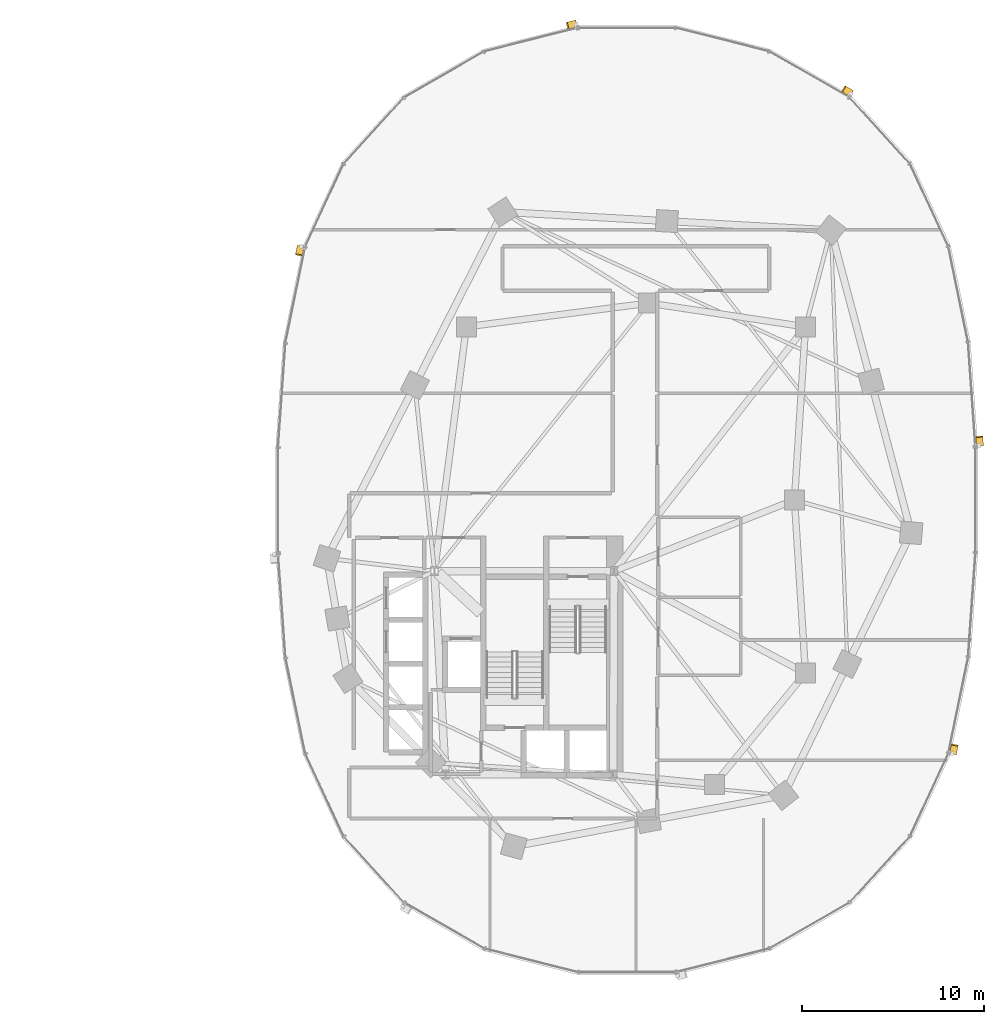
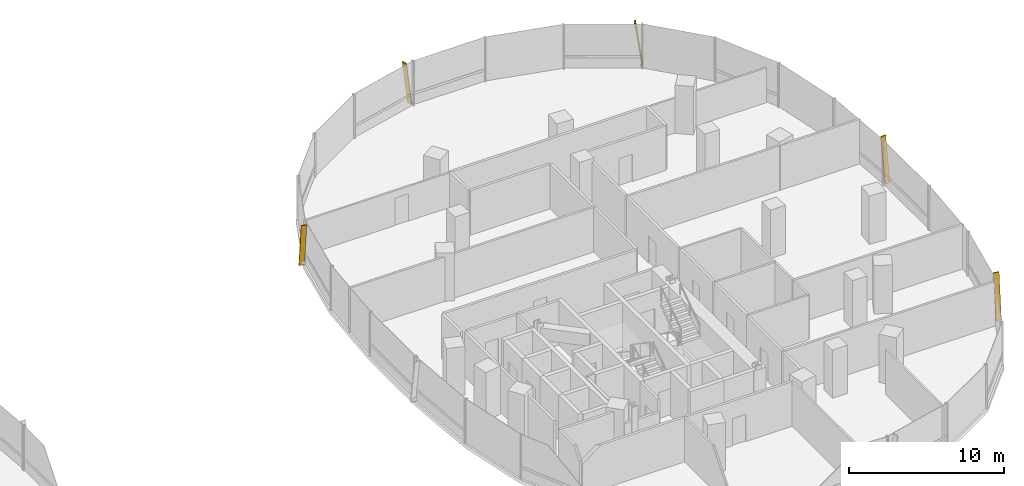
# One storey, part 21 of 21: 5 shading devices.
"""IFC4 building model written with IfcOpenShell, lengths in metres."""

from ifc_helpers import new_model, si_unit, direction, frame, origin, origin_2d, place, context, subcontext, project, spatial, rectangle, extrude, material, material_profile, profile_set, type_object, element, save


model = new_model("IFC4")

# Units and contexts
model_context = context("Model", 3, precision=1e-05, world=origin(), true_north=direction((0.0, 1.0)))
body_context = subcontext(model_context, "Body", "Model", "MODEL_VIEW")
ifc_project = project(units=[si_unit("LENGTHUNIT", "METRE"), si_unit("AREAUNIT", "SQUARE_METRE"), si_unit("VOLUMEUNIT", "CUBIC_METRE"), si_unit("PLANEANGLEUNIT", "RADIAN"), si_unit("MASSUNIT", "GRAM", prefix="KILO"), si_unit("THERMODYNAMICTEMPERATUREUNIT", "KELVIN"), si_unit("POWERUNIT", "WATT")], contexts=[model_context])

# Site, building, storey
site_placement = place(None, origin())
site = spatial("IfcSite", under=ifc_project, at=site_placement, CompositionType="ELEMENT")
building_placement = place(site_placement, origin())
building = spatial("IfcBuilding", under=site, at=building_placement, Name="Cundina Bronze Exchange", CompositionType="ELEMENT")
storey_placement = place(building_placement, frame((0.0, 0.0, 65.800048828125)))
storey = spatial("IfcBuildingStorey", under=building, at=storey_placement, Name="L16", CompositionType="ELEMENT", Elevation=65.800048828125)

# Shading devices
ifc_material = material(Name="Anodised Bronze Aluminium 6063-T6", Category="aluminium")
ifc_material_profile = material_profile(ifc_material, rectangle(XDim=0.070068359375, YDim=0.3798828125, at=origin_2d()), Name="FIN70X380", Category="aluminium")
ifc_profile_set = profile_set([ifc_material_profile], Name="Anodised Bronze Aluminium 6063-T6")
shading_device_type = type_object("IfcShadingDeviceType", Name="SHD-FIN-BRZ380", PredefinedType="USERDEFINED", material=ifc_profile_set)
for number, where, z_axis, x_axis, name in (
    (1, (51.3740234375, 2.993896484375, 0.02001953125), (-0.009645159174, 0.137059109714, 0.990515911709), (0.06953288269, -0.988072340253, 0.137398066402), "L16 Diagonal Bronze Solar Fin 1"),
    (2, (44.314208984375, 22.314208984375, 0.02001953125), (-0.119166378275, 0.06842456559, 0.990513731915), (0.85898178632, -0.493221799887, 0.137413779831), "L16 Diagonal Bronze Solar Fin 5"),
    (3, (29.212646484375, 26.138427734375, 0.02001953125), (-0.133214830938, -0.033688115694, 0.990514472221), (0.960284642503, 0.242842181368, 0.137408443412), "L16 Diagonal Bronze Solar Fin 1"),
    (4, (14.10400390625, 13.911865234375, 0.02001953125), (-0.027747134956, -0.134612045151, 0.990509815096), (0.199966585563, 0.970114971774, 0.137442010309), "L16 Diagonal Bronze Solar Fin 5"),
    (5, (49.89599609375, -13.911865234375, 0.02001953125), (0.027747134956, 0.134612045151, 0.990509815096), (-0.199966585563, -0.970114971774, 0.137442010309), "L16 Diagonal Bronze Solar Fin 5"),
):
    element("IfcShadingDevice", number, at=place(storey_placement, frame(where, z_axis=z_axis, x_axis=x_axis)), inside=storey, type_object=shading_device_type, Name=name, ObjectType="FIN", PredefinedType="USERDEFINED", context=body_context, shape_type="SweptSolid", body=[
        extrude(rectangle(XDim=0.070068359375, YDim=0.3798828125, at=origin_2d()), origin(), (0.0, 0.0, 1.0), 3.4931640625),
    ])

save(model, "model.ifc")
